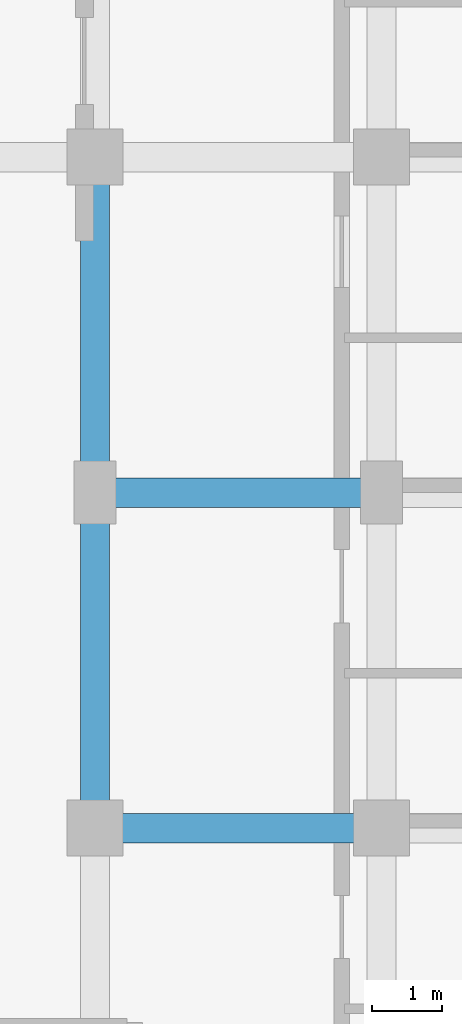
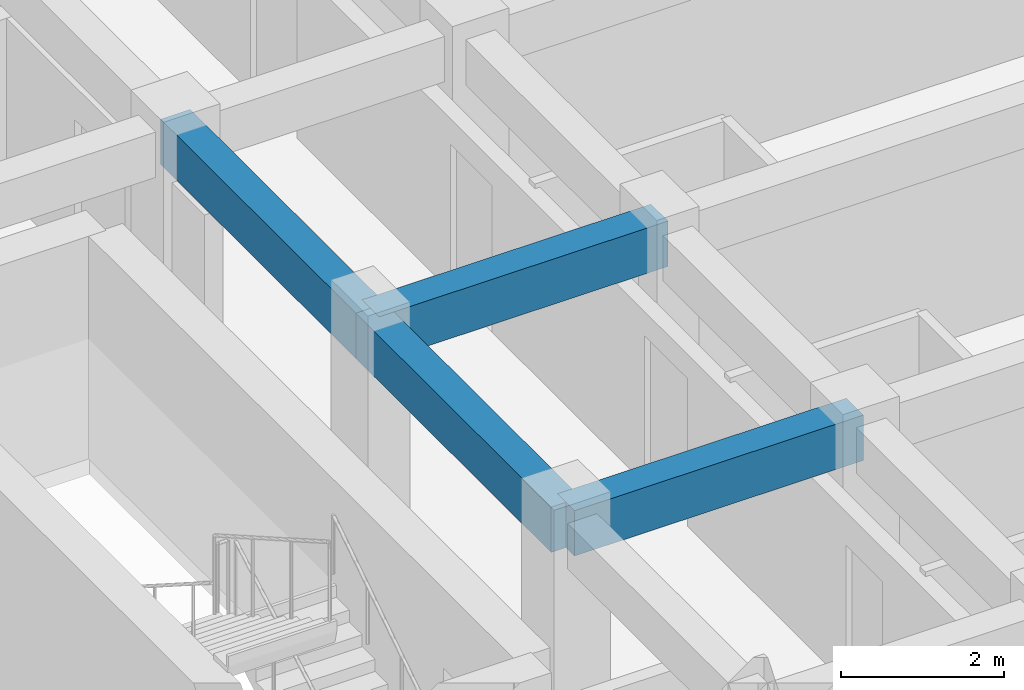
# One storey, part 45 of 82: 4 beams.
"""IFC4 building model written with IfcOpenShell, lengths in metres."""

from ifc_helpers import new_model, si_unit, direction, frame, origin, origin_2d, place, context, subcontext, project, spatial, rectangle, extrude, material, material_profile, profile_set, type_object, element, save


model = new_model("IFC4")

# Units and contexts
model_context = context("Model", 3, precision=1e-05, world=origin(), true_north=direction((0.0, 1.0)))
body_context = subcontext(model_context, "Body", "Model", "MODEL_VIEW")
ifc_project = project(units=[si_unit("LENGTHUNIT", "METRE"), si_unit("AREAUNIT", "SQUARE_METRE"), si_unit("VOLUMEUNIT", "CUBIC_METRE"), si_unit("PLANEANGLEUNIT", "RADIAN"), si_unit("MASSUNIT", "GRAM", prefix="KILO")], contexts=[model_context])

# Site, building, storey
site_placement = place(None, origin())
site = spatial("IfcSite", under=ifc_project, at=site_placement, CompositionType="ELEMENT")
building_placement = place(site_placement, origin())
building = spatial("IfcBuilding", under=site, at=building_placement, Name="Nakhvara Creek Congress Hotel", CompositionType="ELEMENT")
storey_placement = place(building_placement, frame((0.0, 0.0, 21.0)))
storey = spatial("IfcBuildingStorey", under=building, at=storey_placement, Name="L04", CompositionType="ELEMENT", Elevation=21.0)

# Beams
ifc_material = material(Name="Concrete C40/50", Category="concrete")
ifc_material_profile = material_profile(ifc_material, rectangle(XDim=0.419921875, YDim=0.679931640625, at=origin_2d()), Name="RC-BM 420x680", Category="LoadBearing")
ifc_profile_set = profile_set([ifc_material_profile], Name="Concrete C40/50")
beam_type = type_object("IfcBeamType", Name="BM-RC-420X680", PredefinedType="BEAM", material=ifc_profile_set)
beam_1_placement = place(storey_placement, frame((162.35009765625, 105.60009765625, 3.0), z_axis=(1.0, 0.0, 0.0), x_axis=(0.0, 1.0, 0.0)))
element("IfcBeam", 1, at=beam_1_placement, inside=storey, type_object=beam_type, Name="Beam B11-L04-1967", PredefinedType="BEAM", context=body_context, shape_type="SweptSolid", body=[
    extrude(rectangle(XDim=0.419921875, YDim=0.679931640625, at=origin_2d()), origin(), (0.0, 0.0, 1.0), 4.099853515625),
])
beam_2_placement = place(storey_placement, frame((162.35009765625, 105.60009765625, 3.0), z_axis=(0.0, 1.0, 0.0), x_axis=(-1.0, 0.0, 0.0)))
element("IfcBeam", 2, at=beam_2_placement, inside=storey, type_object=beam_type, Name="Beam B11-L04-1969", PredefinedType="BEAM", context=body_context, shape_type="SweptSolid", body=[
    extrude(rectangle(XDim=0.419921875, YDim=0.679931640625, at=origin_2d()), origin(), (0.0, 0.0, 1.0), 4.7998046875),
])
beam_3_placement = place(storey_placement, frame((162.35009765625, 110.39990234375, 3.0), z_axis=(0.0, 1.0, 0.0), x_axis=(-1.0, 0.0, 0.0)))
element("IfcBeam", 3, at=beam_3_placement, inside=storey, type_object=beam_type, Name="Beam B11-L04-1971", PredefinedType="BEAM", context=body_context, shape_type="SweptSolid", body=[
    extrude(rectangle(XDim=0.419921875, YDim=0.679931640625, at=origin_2d()), origin(), (0.0, 0.0, 1.0), 4.800048828125),
])
beam_4_placement = place(storey_placement, frame((162.35009765625, 110.39990234375, 3.0), z_axis=(1.0, 0.0, 0.0), x_axis=(0.0, 1.0, 0.0)))
element("IfcBeam", 4, at=beam_4_placement, inside=storey, type_object=beam_type, Name="Beam B11-L04-2047", PredefinedType="BEAM", context=body_context, shape_type="SweptSolid", body=[
    extrude(rectangle(XDim=0.419921875, YDim=0.679931640625, at=origin_2d()), origin(), (0.0, 0.0, 1.0), 4.099853515625),
])

save(model, "model.ifc")
